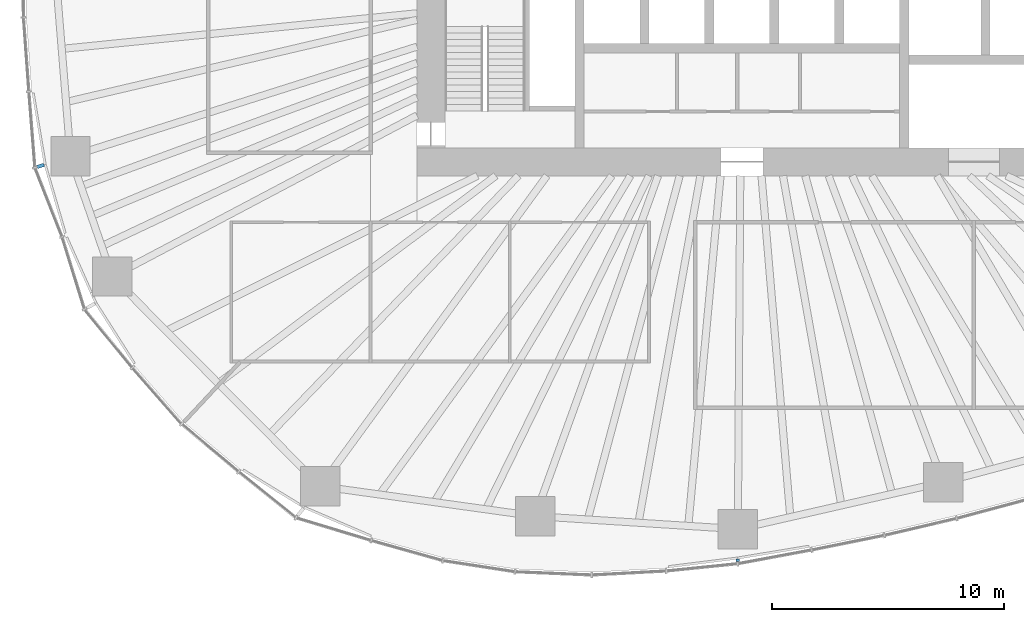
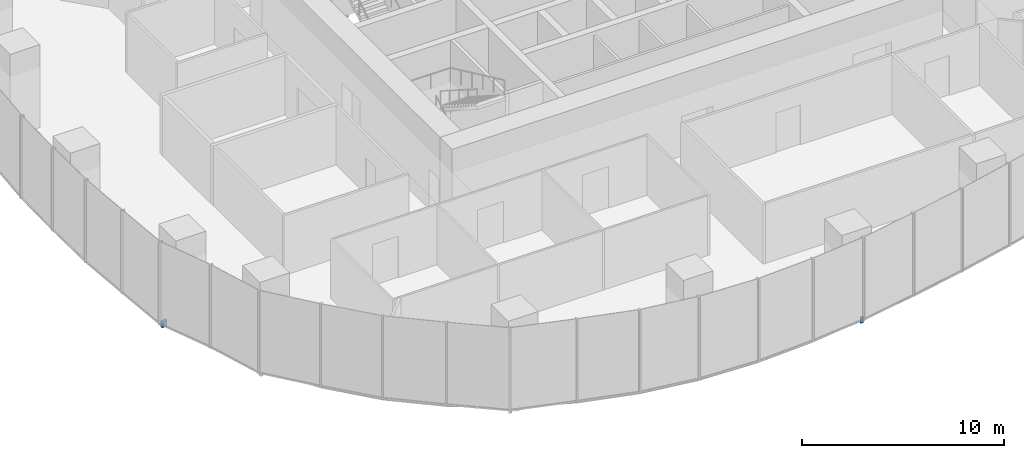
# One storey, part 13 of 20: 2 discrete accessories.
"""IFC4 building model written with IfcOpenShell, lengths in metres."""

from ifc_helpers import new_model, si_unit, direction, frame, origin, origin_2d, place, context, subcontext, project, spatial, rectangle, extrude, material, type_object, element, save


model = new_model("IFC4")

# Units and contexts
model_context = context("Model", 3, precision=1e-05, world=origin(), true_north=direction((0.0, 1.0)))
body_context = subcontext(model_context, "Body", "Model", "MODEL_VIEW")
ifc_project = project(units=[si_unit("LENGTHUNIT", "METRE"), si_unit("AREAUNIT", "SQUARE_METRE"), si_unit("VOLUMEUNIT", "CUBIC_METRE"), si_unit("PLANEANGLEUNIT", "RADIAN"), si_unit("MASSUNIT", "GRAM", prefix="KILO")], contexts=[model_context])

# Site, building, storey
site_placement = place(None, origin())
site = spatial("IfcSite", under=ifc_project, at=site_placement, CompositionType="ELEMENT")
building_placement = place(site_placement, origin())
building = spatial("IfcBuilding", under=site, at=building_placement, Name="Ghaith Harvest Tower", CompositionType="ELEMENT")
storey_placement = place(building_placement, frame((0.0, 0.0, 90.0)))
storey = spatial("IfcBuildingStorey", under=building, at=storey_placement, Name="L18", CompositionType="ELEMENT", Elevation=90.0)

# Discrete accessories
ifc_material_1 = material(Name="Stainless steel grade 1.4401", Category="steel")
discrete_accessory_type_1 = type_object("IfcDiscreteAccessoryType", Name="CURTAIN WALL BRACKET 315", PredefinedType="BRACKET", material=ifc_material_1)
discrete_accessory_1_placement = place(storey_placement, frame((-30.219482421875, -9.5771484375, -0.25), z_axis=(0.0, 0.0, 1.0), x_axis=(-0.953273219416, -0.302109531701, 0.0)))
element("IfcDiscreteAccessory", 1, at=discrete_accessory_1_placement, inside=storey, type_object=discrete_accessory_type_1, Name="CW-F bracket 1 bay 12 L18", PredefinedType="BRACKET", context=body_context, shape_type="SweptSolid", body=[
    extrude(rectangle(XDim=0.31494140625, YDim=0.14990234375, at=origin_2d()), origin(), (0.0, 0.0, 1.0), 0.35009765625),
])
ifc_material_2 = material(Name="Stainless steel grade 1.4401", Category="steel")
discrete_accessory_type_2 = type_object("IfcDiscreteAccessoryType", Name="CURTAIN WALL BRACKET 95", PredefinedType="BRACKET", material=ifc_material_2)
discrete_accessory_2_placement = place(storey_placement, frame((-0.181884765625, -26.569580078125, -0.25), z_axis=(0.0, 0.0, 1.0), x_axis=(-0.006843747957, -0.999976581283, 0.0)))
element("IfcDiscreteAccessory", 2, at=discrete_accessory_2_placement, inside=storey, type_object=discrete_accessory_type_2, Name="CW-F bracket 1 bay 16 L18", PredefinedType="BRACKET", context=body_context, shape_type="SweptSolid", body=[
    extrude(rectangle(XDim=0.094970703125, YDim=0.14990234375, at=origin_2d()), origin(), (0.0, 0.0, 1.0), 0.35009765625),
])

save(model, "model.ifc")
